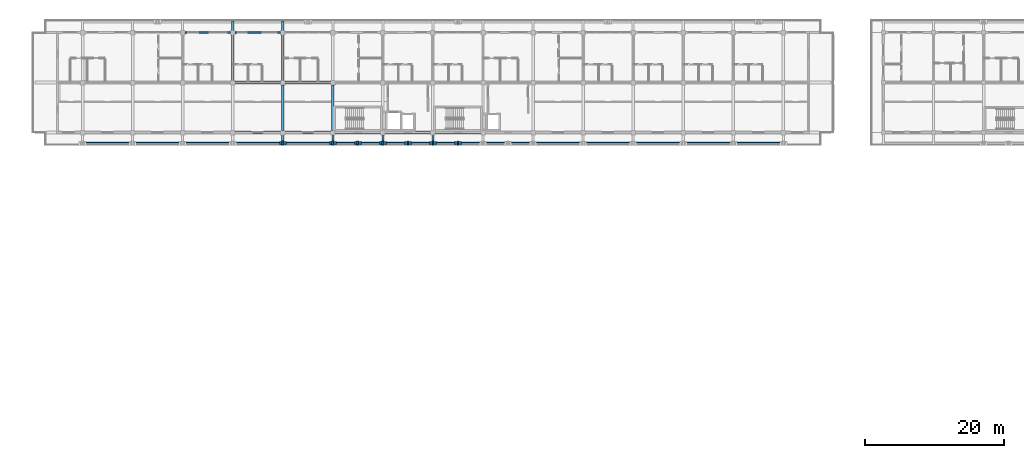
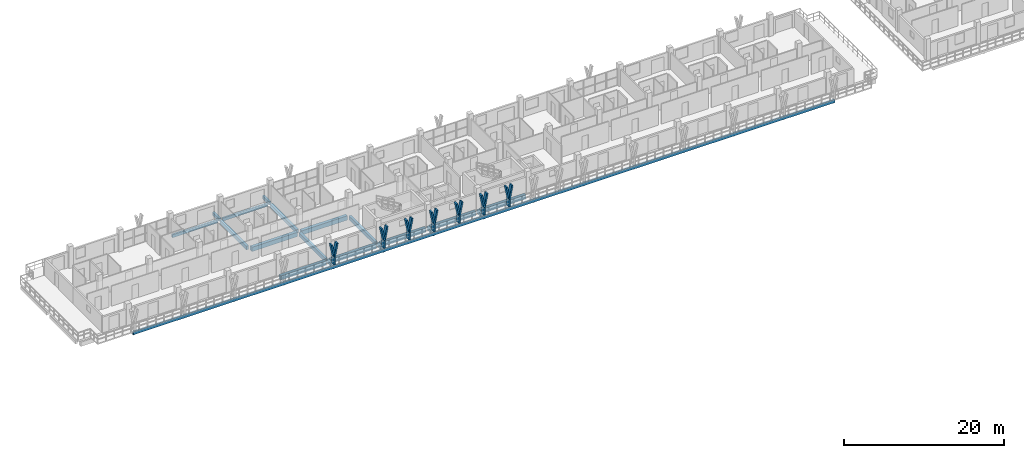
# One storey, part 11 of 75: 21 members, 20 beams.
"""IFC4 building model written with IfcOpenShell, lengths in metres."""

from ifc_helpers import new_model, si_unit, direction, frame, origin, origin_2d, place, context, subcontext, project, spatial, rectangle, extrude, material, material_profile, profile_set, type_object, element, save


model = new_model("IFC4")

# Units and contexts
model_context = context("Model", 3, precision=1e-05, world=origin(), true_north=direction((0.0, 1.0)))
body_context = subcontext(model_context, "Body", "Model", "MODEL_VIEW")
ifc_project = project(units=[si_unit("LENGTHUNIT", "METRE"), si_unit("AREAUNIT", "SQUARE_METRE"), si_unit("VOLUMEUNIT", "CUBIC_METRE"), si_unit("PLANEANGLEUNIT", "RADIAN"), si_unit("MASSUNIT", "GRAM", prefix="KILO")], contexts=[model_context])

# Site, building, storey
site_placement = place(None, origin())
site = spatial("IfcSite", under=ifc_project, at=site_placement, CompositionType="ELEMENT")
building_placement = place(site_placement, origin())
building = spatial("IfcBuilding", under=site, at=building_placement, Name="Suanplinth Sawtooth Commons", CompositionType="ELEMENT")
storey_placement = place(building_placement, frame((0.0, 0.0, 18.60009765625)))
storey = spatial("IfcBuildingStorey", under=building, at=storey_placement, Name="L05", CompositionType="ELEMENT", Elevation=18.60009765625)

# Beams
ifc_material_1 = material(Name="Precast concrete C40/50", Category="concrete")
ifc_material_profile_1 = material_profile(ifc_material_1, rectangle(XDim=0.449951171875, YDim=0.64990234375, at=origin_2d()), Name="PC-GDR 450x650")
ifc_profile_set_1 = profile_set([ifc_material_profile_1], Name="Precast concrete C40/50")
beam_type_1 = type_object("IfcBeamType", Name="B-04", PredefinedType="USERDEFINED", material=ifc_profile_set_1)
for number, where, z_axis, x_axis, name in (
    (1, (29.125, 108.0, -0.5751953125), (1.0, 0.0, 0.0), (0.0, 1.0, 0.0), "BMX-L05-A-4-15"),
    (2, (29.125, 115.199951171875, -0.5751953125), (1.0, 0.0, 0.0), (0.0, 1.0, 0.0), "BMX-L05-A-4-16"),
    (3, (36.324951171875, 108.0, -0.5751953125), (1.0, 0.0, 0.0), (0.0, 1.0, 0.0), "BMX-L05-A-5-15"),
    (4, (36.324951171875, 115.199951171875, -0.5751953125), (1.0, 0.0, 0.0), (0.0, 1.0, 0.0), "BMX-L05-A-5-16"),
    (5, (43.52490234375, 108.0, -0.5751953125), (1.0, 0.0, 0.0), (0.0, 1.0, 0.0), "BMX-L05-A-6-15"),
):
    element("IfcBeam", number, at=place(storey_placement, frame(where, z_axis=z_axis, x_axis=x_axis)), inside=storey, type_object=beam_type_1, Name=name, ObjectType="GIRDER", PredefinedType="USERDEFINED", context=body_context, shape_type="SweptSolid", body=[
        extrude(rectangle(XDim=0.449951171875, YDim=0.64990234375, at=origin_2d()), origin(), (0.0, 0.0, 1.0), 6.550048828125),
    ])
beam_1_placement = place(storey_placement, frame((50.72509765625, 108.0, -0.5751953125), z_axis=(1.0, 0.0, 0.0), x_axis=(0.0, 1.0, 0.0)))
element("IfcBeam", 6, at=beam_1_placement, inside=storey, type_object=beam_type_1, Name="BMX-L05-A-7-15", ObjectType="GIRDER", PredefinedType="USERDEFINED", context=body_context, shape_type="SweptSolid", body=[
    extrude(rectangle(XDim=0.449951171875, YDim=0.64990234375, at=origin_2d()), origin(), (0.0, 0.0, 1.0), 6.5498046875),
])
beam_2_placement = place(storey_placement, frame((57.925048828125, 108.0, -0.5751953125), z_axis=(1.0, 0.0, 0.0), x_axis=(0.0, 1.0, 0.0)))
element("IfcBeam", 7, at=beam_2_placement, inside=storey, type_object=beam_type_1, Name="BMX-L05-A-8-15", ObjectType="GIRDER", PredefinedType="USERDEFINED", context=body_context, shape_type="SweptSolid", body=[
    extrude(rectangle(XDim=0.449951171875, YDim=0.64990234375, at=origin_2d()), origin(), (0.0, 0.0, 1.0), 6.550048828125),
])
ifc_material_profile_2 = material_profile(ifc_material_1, rectangle(XDim=0.35009765625, YDim=0.550048828125, at=origin_2d()), Name="PC-BM 350x550")
ifc_profile_set_2 = profile_set([ifc_material_profile_2], Name="Precast concrete C40/50")
beam_type_2 = type_object("IfcBeamType", Name="B-06", PredefinedType="BEAM", material=ifc_profile_set_2)
for number, where, z_axis, x_axis, name in (
    (8, (28.800048828125, 115.52490234375, -0.525146484375), (0.0, 1.0, 0.0), (-1.0, 0.0, 0.0), "BMY-L05-A-4-16"),
    (9, (36.0, 108.324951171875, -0.525146484375), (0.0, 1.0, 0.0), (-1.0, 0.0, 0.0), "BMY-L05-A-5-15"),
    (10, (36.0, 115.52490234375, -0.525146484375), (0.0, 1.0, 0.0), (-1.0, 0.0, 0.0), "BMY-L05-A-5-16"),
    (11, (43.199951171875, 108.324951171875, -0.525146484375), (0.0, 1.0, 0.0), (-1.0, 0.0, 0.0), "BMY-L05-A-6-15"),
):
    element("IfcBeam", number, at=place(storey_placement, frame(where, z_axis=z_axis, x_axis=x_axis)), inside=storey, type_object=beam_type_2, Name=name, PredefinedType="BEAM", context=body_context, shape_type="SweptSolid", body=[
        extrude(rectangle(XDim=0.35009765625, YDim=0.550048828125, at=origin_2d()), origin(), (0.0, 0.0, 1.0), 6.550048828125),
    ])
ifc_material_profile_3 = material_profile(ifc_material_1, rectangle(XDim=0.300048828125, YDim=0.5, at=origin_2d()), Name="PC-BM 300x500")
ifc_profile_set_3 = profile_set([ifc_material_profile_3], Name="Precast concrete C40/50")
beam_type_3 = type_object("IfcBeamType", Name="B-07", PredefinedType="BEAM", material=ifc_profile_set_3)
for number, where, z_axis, x_axis, name in (
    (12, (28.800048828125, 122.39990234375, -0.43017578125), (0.0, 1.0, 0.0), (-1.0, 0.0, 0.0), "Balcony Outrigger L05-A-N-4"),
    (13, (36.0, 122.39990234375, -0.43017578125), (0.0, 1.0, 0.0), (-1.0, 0.0, 0.0), "Balcony Outrigger L05-A-N-5"),
):
    element("IfcBeam", number, at=place(storey_placement, frame(where, z_axis=z_axis, x_axis=x_axis)), inside=storey, type_object=beam_type_3, Name=name, PredefinedType="BEAM", context=body_context, shape_type="SweptSolid", body=[
        extrude(rectangle(XDim=0.300048828125, YDim=0.5, at=origin_2d()), origin(), (0.0, 0.0, 1.0), 1.64013671875),
    ])
for number, where, z_axis, x_axis, name in (
    (14, (36.0, 108.0, -0.43017578125), (0.0, -1.0, 0.0), (1.0, 0.0, 0.0), "Balcony Outrigger L05-A-S-5"),
    (15, (43.199951171875, 108.0, -0.43017578125), (0.0, -1.0, 0.0), (1.0, 0.0, 0.0), "Balcony Outrigger L05-A-S-6"),
    (16, (50.39990234375, 108.0, -0.43017578125), (0.0, -1.0, 0.0), (1.0, 0.0, 0.0), "Balcony Outrigger L05-A-S-7"),
    (17, (57.60009765625, 108.0, -0.43017578125), (0.0, -1.0, 0.0), (1.0, 0.0, 0.0), "Balcony Outrigger L05-A-S-8"),
):
    element("IfcBeam", number, at=place(storey_placement, frame(where, z_axis=z_axis, x_axis=x_axis)), inside=storey, type_object=beam_type_3, Name=name, PredefinedType="BEAM", context=body_context, shape_type="SweptSolid", body=[
        extrude(rectangle(XDim=0.300048828125, YDim=0.5, at=origin_2d()), origin(), (0.0, 0.0, 1.0), 1.639892578125),
    ])
ifc_material_profile_4 = material_profile(ifc_material_1, rectangle(XDim=0.25, YDim=0.449951171875, at=origin_2d()), Name="PC-SP 250x450")
ifc_profile_set_4 = profile_set([ifc_material_profile_4], Name="Precast concrete C40/50")
beam_type_4 = type_object("IfcBeamType", Name="B-09", PredefinedType="SPANDREL", material=ifc_profile_set_4)
for number, where, z_axis, x_axis, name in (
    (18, (21.925048828125, 122.39990234375, -0.47509765625), (1.0, 0.0, 0.0), (0.0, 1.0, 0.0), "BMX-L05-A-3-17"),
    (19, (29.125, 122.39990234375, -0.47509765625), (1.0, 0.0, 0.0), (0.0, 1.0, 0.0), "BMX-L05-A-4-17"),
):
    element("IfcBeam", number, at=place(storey_placement, frame(where, z_axis=z_axis, x_axis=x_axis)), inside=storey, type_object=beam_type_4, Name=name, PredefinedType="SPANDREL", context=body_context, shape_type="SweptSolid", body=[
        extrude(rectangle(XDim=0.25, YDim=0.449951171875, at=origin_2d()), origin(), (0.0, 0.0, 1.0), 6.550048828125),
    ])
beam_3_placement = place(storey_placement, frame((7.050048828125, 106.47998046875, -0.405029296875), z_axis=(1.0, 0.0, 0.0), x_axis=(0.0, 1.0, 0.0)))
element("IfcBeam", 20, at=beam_3_placement, inside=storey, type_object=beam_type_4, Name="Balcony Edge Fascia L05-A-S", PredefinedType="SPANDREL", context=body_context, shape_type="SweptSolid", body=[
    extrude(rectangle(XDim=0.25, YDim=0.449951171875, at=origin_2d()), origin(), (0.0, 0.0, 1.0), 101.099853515625),
])

# Members
ifc_material_2 = material(Name="Pigmented precast concrete C40/50", Category="concrete")
ifc_material_profile_5 = material_profile(ifc_material_2, rectangle(XDim=0.260009765625, YDim=0.550048828125, at=origin_2d()), Name="PC-FIN 260x550")
ifc_profile_set_5 = profile_set([ifc_material_profile_5], Name="Pigmented precast concrete C40/50")
member_type_1 = type_object("IfcMemberType", Name="M-09", PredefinedType="USERDEFINED", material=ifc_profile_set_5)
for number, where, z_axis, x_axis, name in (
    (21, (36.0, 106.47998046875, 0.0), (0.0, 0.0, 1.0), (1.0, 0.0, 0.0), "Y-Blade Stem L05-A-S-10"),
    (22, (43.199951171875, 106.47998046875, 0.0), (0.0, 0.0, 1.0), (1.0, 0.0, 0.0), "Y-Blade Stem L05-A-S-11"),
    (23, (46.800048828125, 106.47998046875, 0.0), (0.0, 0.0, 1.0), (1.0, 0.0, 0.0), "Y-Blade Stem L05-A-S-12"),
    (24, (50.39990234375, 106.47998046875, 0.0), (0.0, 0.0, 1.0), (1.0, 0.0, 0.0), "Y-Blade Stem L05-A-S-13"),
    (25, (54.0, 106.47998046875, 0.0), (0.0, 0.0, 1.0), (1.0, 0.0, 0.0), "Y-Blade Stem L05-A-S-14"),
    (26, (57.60009765625, 106.47998046875, 0.0), (0.0, 0.0, 1.0), (1.0, 0.0, 0.0), "Y-Blade Stem L05-A-S-15"),
    (27, (61.199951171875, 106.47998046875, 0.0), (0.0, 0.0, 1.0), (1.0, 0.0, 0.0), "Y-Blade Stem L05-A-S-16"),
):
    element("IfcMember", number, at=place(storey_placement, frame(where, z_axis=z_axis, x_axis=x_axis)), inside=storey, type_object=member_type_1, Name=name, ObjectType="SHADING FIN", PredefinedType="USERDEFINED", context=body_context, shape_type="SweptSolid", body=[
        extrude(rectangle(XDim=0.260009765625, YDim=0.550048828125, at=origin_2d()), origin(), (0.0, 0.0, 1.0), 1.169921875),
    ])
ifc_material_profile_6 = material_profile(ifc_material_2, rectangle(XDim=0.219970703125, YDim=0.550048828125, at=origin_2d()), Name="PC-FIN 220x550")
ifc_profile_set_6 = profile_set([ifc_material_profile_6], Name="Pigmented precast concrete C40/50")
member_type_2 = type_object("IfcMemberType", Name="M-10", PredefinedType="USERDEFINED", material=ifc_profile_set_6)
for number, where, z_axis, x_axis, name in (
    (28, (36.0, 106.47998046875, 1.1298828125), (-0.196530428008, 0.0, 0.98049772609), (0.98049772609, 0.0, 0.196530428008), "Y-Blade Arm L L05-A-S-10"),
    (29, (36.0, 106.47998046875, 1.1298828125), (0.196530428008, 0.0, 0.98049772609), (-0.98049772609, 0.0, 0.196530428008), "Y-Blade Arm R L05-A-S-10"),
    (30, (43.199951171875, 106.47998046875, 1.1298828125), (-0.196415357203, 0.0, 0.980520783795), (0.980520783795, 0.0, 0.196415357203), "Y-Blade Arm L L05-A-S-11"),
    (31, (43.199951171875, 106.47998046875, 1.1298828125), (0.196530428008, 0.0, 0.98049772609), (-0.98049772609, 0.0, 0.196530428008), "Y-Blade Arm R L05-A-S-11"),
    (32, (46.800048828125, 106.47998046875, 1.1298828125), (-0.196530428008, 0.0, 0.98049772609), (0.98049772609, 0.0, 0.196530428008), "Y-Blade Arm L L05-A-S-12"),
    (33, (46.800048828125, 106.47998046875, 1.1298828125), (0.196415357203, 0.0, 0.980520783795), (-0.980520783795, 0.0, 0.196415357203), "Y-Blade Arm R L05-A-S-12"),
    (34, (50.39990234375, 106.47998046875, 1.1298828125), (-0.196415357203, 0.0, 0.980520783795), (0.980520783795, 0.0, 0.196415357203), "Y-Blade Arm L L05-A-S-13"),
    (35, (50.39990234375, 106.47998046875, 1.1298828125), (0.196530428008, 0.0, 0.98049772609), (-0.98049772609, 0.0, 0.196530428008), "Y-Blade Arm R L05-A-S-13"),
    (36, (54.0, 106.47998046875, 1.1298828125), (-0.196530428008, 0.0, 0.98049772609), (0.98049772609, 0.0, 0.196530428008), "Y-Blade Arm L L05-A-S-14"),
    (37, (54.0, 106.47998046875, 1.1298828125), (0.196530428008, 0.0, 0.98049772609), (-0.98049772609, 0.0, 0.196530428008), "Y-Blade Arm R L05-A-S-14"),
    (38, (57.60009765625, 106.47998046875, 1.1298828125), (-0.196530428008, 0.0, 0.98049772609), (0.98049772609, 0.0, 0.196530428008), "Y-Blade Arm L L05-A-S-15"),
    (39, (57.60009765625, 106.47998046875, 1.1298828125), (0.196415357203, 0.0, 0.980520783795), (-0.980520783795, 0.0, 0.196415357203), "Y-Blade Arm R L05-A-S-15"),
    (40, (61.199951171875, 106.47998046875, 1.1298828125), (-0.196415357203, 0.0, 0.980520783795), (0.980520783795, 0.0, 0.196415357203), "Y-Blade Arm L L05-A-S-16"),
    (41, (61.199951171875, 106.47998046875, 1.1298828125), (0.196530428008, 0.0, 0.98049772609), (-0.98049772609, 0.0, 0.196530428008), "Y-Blade Arm R L05-A-S-16"),
):
    element("IfcMember", number, at=place(storey_placement, frame(where, z_axis=z_axis, x_axis=x_axis)), inside=storey, type_object=member_type_2, Name=name, ObjectType="SHADING FIN", PredefinedType="USERDEFINED", context=body_context, shape_type="SweptSolid", body=[
        extrude(rectangle(XDim=0.219970703125, YDim=0.550048828125, at=origin_2d()), origin(), (0.0, 0.0, 1.0), 2.039794921875),
    ])

save(model, "model.ifc")
